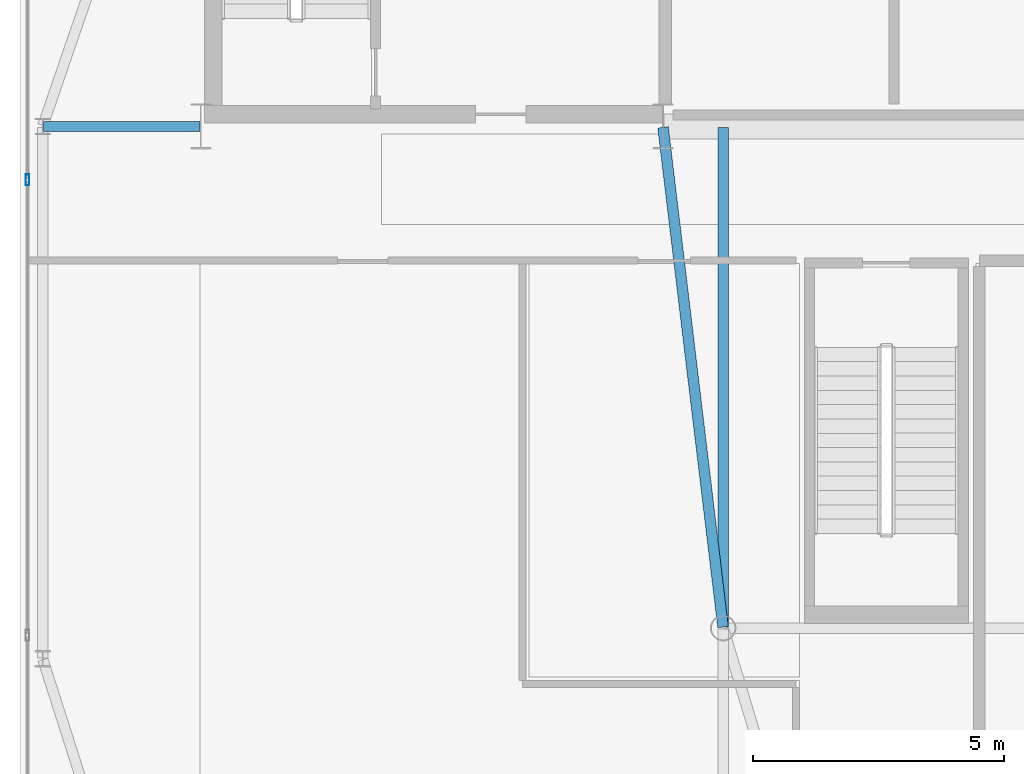
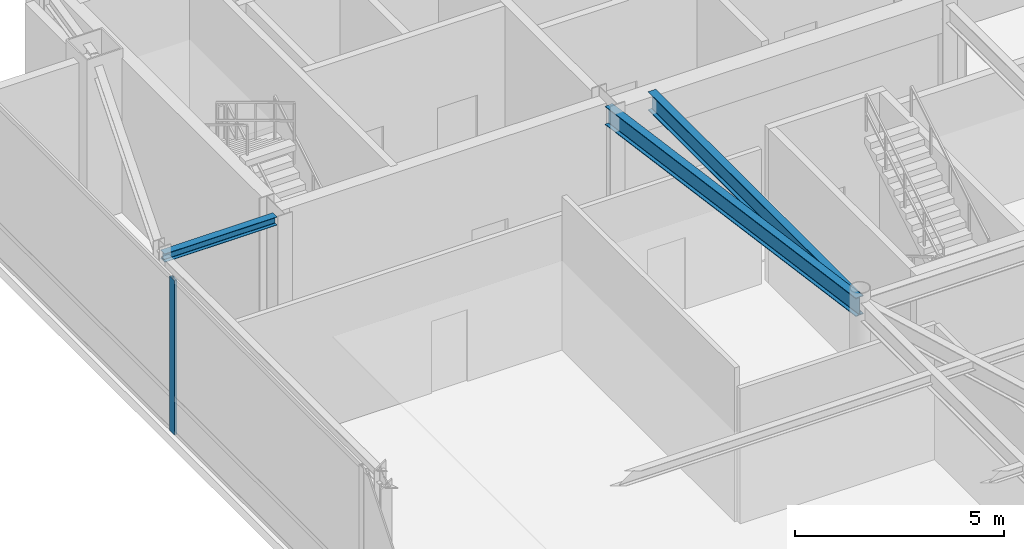
# One storey, part 9 of 22: 3 beams, 1 member, 1 element without a shape of its own.
"""IFC4 building model written with IfcOpenShell, lengths in metres."""

from ifc_helpers import new_model, si_unit, direction, frame, origin, origin_2d, place, context, subcontext, project, spatial, hollow_rectangle, i_section, extrude, source, transform, mapped, material, layer, layer_set, material_profile, profile_set, type_object, type_shapes, element, aggregate, save


model = new_model("IFC4")

# Units and contexts
model_context = context("Model", 3, precision=1e-05, world=origin(), true_north=direction((0.0, 1.0)))
body_context = subcontext(model_context, "Body", "Model", "MODEL_VIEW")
ifc_project = project(units=[si_unit("LENGTHUNIT", "METRE"), si_unit("AREAUNIT", "SQUARE_METRE"), si_unit("VOLUMEUNIT", "CUBIC_METRE"), si_unit("PLANEANGLEUNIT", "RADIAN"), si_unit("MASSUNIT", "GRAM", prefix="KILO")], contexts=[model_context])

# Site, building, storey
site_placement = place(None, origin())
site = spatial("IfcSite", under=ifc_project, at=site_placement, CompositionType="ELEMENT")
building_placement = place(site_placement, origin())
building = spatial("IfcBuilding", under=site, at=building_placement, Name="Varnel Quay Broadcast Tower", CompositionType="ELEMENT")
storey_placement = place(building_placement, frame((0.0, 0.0, 305.0)))
storey = spatial("IfcBuildingStorey", under=building, at=storey_placement, Name="L76", CompositionType="ELEMENT", Elevation=305.0)

# Beams
ifc_material_1 = material(Name="Structural Steel CSA G40.21 350W", Category="steel")
ifc_material_profile_1 = material_profile(ifc_material_1, i_section(OverallWidth=0.2119140625, OverallDepth=0.5439453125, WebThickness=0.01318359375, FlangeThickness=0.021240234375, FilletRadius=0.013916015625, at=origin_2d()), Name="W530X123")
ifc_profile_set_1 = profile_set([ifc_material_profile_1], Name="Structural Steel CSA G40.21 350W")
beam_type_1 = type_object("IfcBeamType", Name="Girder_W530X123", PredefinedType="BEAM", material=ifc_profile_set_1)
shared_shape_1 = source(origin(), body_context, "Body", "SweptSolid", [
    extrude(i_section(OverallWidth=0.2119140625, OverallDepth=0.5439453125, WebThickness=0.01318359375, FlangeThickness=0.021240234375, FilletRadius=0.013916015625, at=origin_2d()), origin(), (0.0, 0.0, 1.0), 10.021728515625),
])
beam_1_placement = place(storey_placement, frame((25.99755859375, 25.6298828125, 4.248046875), z_axis=(-0.119248005741, 0.992864498875, 0.0), x_axis=(-0.992864498875, -0.119248005741, 0.0)))
element("IfcBeam", 1, at=beam_1_placement, inside=storey, type_object=beam_type_1, Name="L76 Primary Girder IC-01-CC-S2", PredefinedType="BEAM", context=body_context, shape_type="MappedRepresentation", body=[
    mapped(shared_shape_1, transform((0.0, 0.0, 0.0), x_axis=(1.0, 0.0, 0.0), y_axis=(0.0, 1.0, 0.0), z_axis=(0.0, 0.0, 1.0), scale=1.0)),
])
shared_shape_2 = source(origin(), body_context, "Body", "SweptSolid", [
    extrude(i_section(OverallWidth=0.2119140625, OverallDepth=0.5439453125, WebThickness=0.01318359375, FlangeThickness=0.021240234375, FilletRadius=0.013916015625, at=origin_2d()), origin(), (0.0, 0.0, 1.0), 9.9501953125),
])
type_shapes(beam_type_1, [shared_shape_1, shared_shape_2])
beam_2_placement = place(storey_placement, frame((26.0, 25.6298828125, 4.248046875), z_axis=(0.0, 1.0, 0.0), x_axis=(-1.0, 0.0, 0.0)))
element("IfcBeam", 2, at=beam_2_placement, inside=storey, type_object=beam_type_1, Name="L76 N-S Joist Header IC-01N", PredefinedType="BEAM", context=body_context, shape_type="MappedRepresentation", body=[
    mapped(shared_shape_2, transform((0.0, 0.0, 0.0), x_axis=(1.0, 0.0, 0.0), y_axis=(0.0, 1.0, 0.0), z_axis=(0.0, 0.0, 1.0), scale=1.0)),
])
ifc_material_profile_2 = material_profile(ifc_material_1, i_section(OverallWidth=0.201904296875, OverallDepth=0.2470703125, WebThickness=0.00732421875, FlangeThickness=0.010986328125, FilletRadius=0.010986328125, at=origin_2d()), Name="W250X49")
ifc_profile_set_2 = profile_set([ifc_material_profile_2], Name="Structural Steel CSA G40.21 350W")
beam_type_2 = type_object("IfcBeamType", Name="Beam_W250X49", PredefinedType="JOIST", material=ifc_profile_set_2)
shared_shape_3 = source(origin(), body_context, "Body", "SweptSolid", [
    extrude(i_section(OverallWidth=0.201904296875, OverallDepth=0.2470703125, WebThickness=0.00732421875, FlangeThickness=0.010986328125, FilletRadius=0.010986328125, at=origin_2d()), origin(), (0.0, 0.0, 1.0), 3.110107421875),
])
type_shapes(beam_type_2, [shared_shape_3])
beam_3_placement = place(storey_placement, frame((12.469970703125, 35.60009765625, 4.396484375), z_axis=(1.0, 0.0, 0.0), x_axis=(0.0, 1.0, 0.0)))
element("IfcBeam", 3, at=beam_3_placement, inside=storey, type_object=beam_type_2, Name="L76 West Core Tie Joist", PredefinedType="JOIST", context=body_context, shape_type="MappedRepresentation", body=[
    mapped(shared_shape_3, transform((0.0, 0.0, 0.0), x_axis=(1.0, 0.0, 0.0), y_axis=(0.0, 1.0, 0.0), z_axis=(0.0, 0.0, 1.0), scale=1.0)),
])

# Curtain wall, member
ifc_material_2 = material(Name="Anodised Bronze Aluminium 6063-T6", Category="aluminium")
ifc_layer = layer(ifc_material_2, 0.18994140625, Name="Anodised Bronze Aluminium 6063-T6")
ifc_layer_set = layer_set([ifc_layer], Name="Anodised Bronze Aluminium 6063-T6")
curtain_wall_type = type_object("IfcCurtainWallType", Name="CW_SkyObsHighVis", PredefinedType="NOTDEFINED", material=ifc_layer_set)
curtain_wall_placement = place(storey_placement, origin())
curtain_wall = element("IfcCurtainWall", 4, at=curtain_wall_placement, inside=storey, type_object=curtain_wall_type, Name="L76 West Unitised Curtain Wall", PredefinedType="NOTDEFINED")
ifc_material_profile_3 = material_profile(ifc_material_2, hollow_rectangle(XDim=0.074951171875, YDim=0.219970703125, WallThickness=0.00390625, at=origin_2d()), Name="ALU75X220X4")
ifc_profile_set_3 = profile_set([ifc_material_profile_3], Name="Anodised Bronze Aluminium 6063-T6")
member_type = type_object("IfcMemberType", Name="Mull_CWS-05", PredefinedType="MULLION", material=ifc_profile_set_3)
shared_shape_4 = source(origin(), body_context, "Body", "SweptSolid", [
    extrude(hollow_rectangle(XDim=0.074951171875, YDim=0.219970703125, WallThickness=0.00390625, at=origin_2d()), origin(), (0.0, 0.0, 1.0), 4.52001953125),
])
type_shapes(member_type, [shared_shape_4])
member_placement = place(storey_placement, frame((12.14990234375, 34.533447265625, 0.0), z_axis=(0.0, 0.0, 1.0), x_axis=(-1.0, 0.0, 0.0)))
member = element("IfcMember", 5, at=member_placement, type_object=member_type, Name="CWS-05 mullion 3", PredefinedType="MULLION", context=body_context, shape_type="MappedRepresentation", body=[
    mapped(shared_shape_4, transform((0.0, 0.0, 0.0), x_axis=(1.0, 0.0, 0.0), y_axis=(0.0, 1.0, 0.0), z_axis=(0.0, 0.0, 1.0), scale=1.0)),
])
aggregate(curtain_wall, [member])

save(model, "model.ifc")
